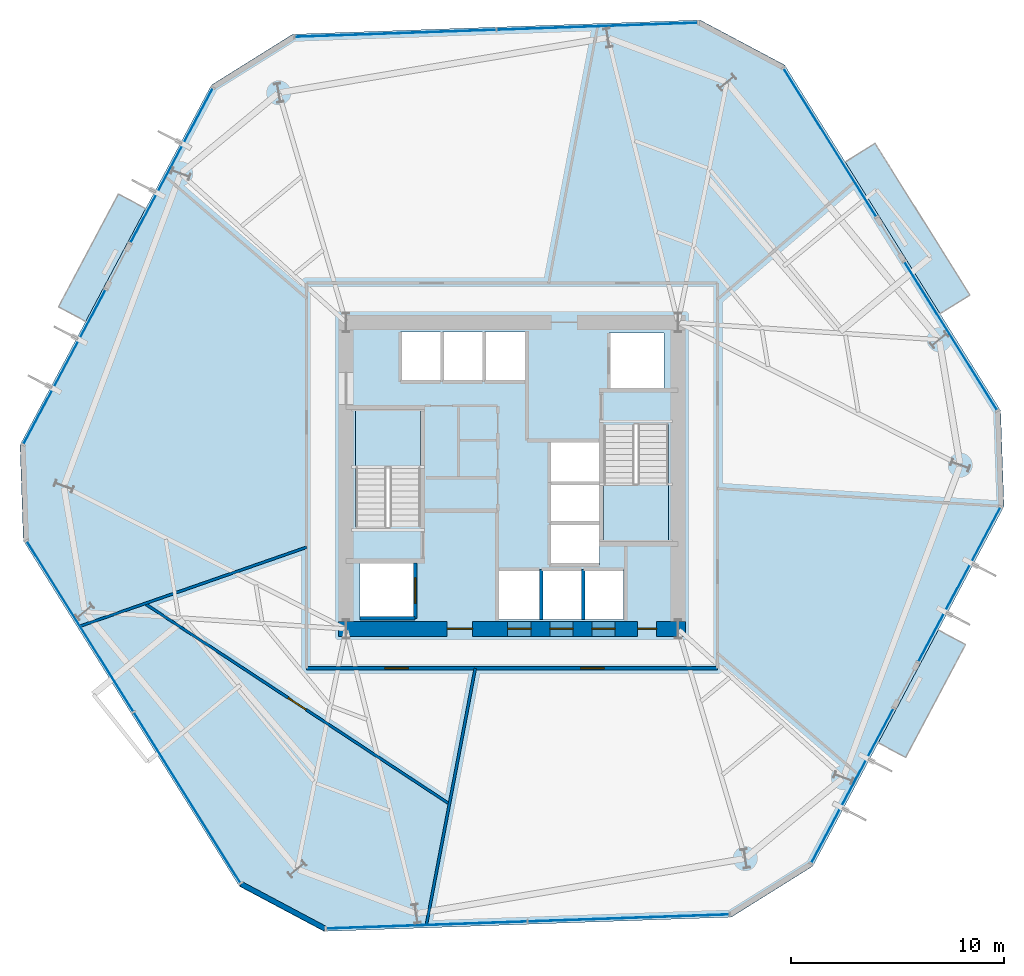
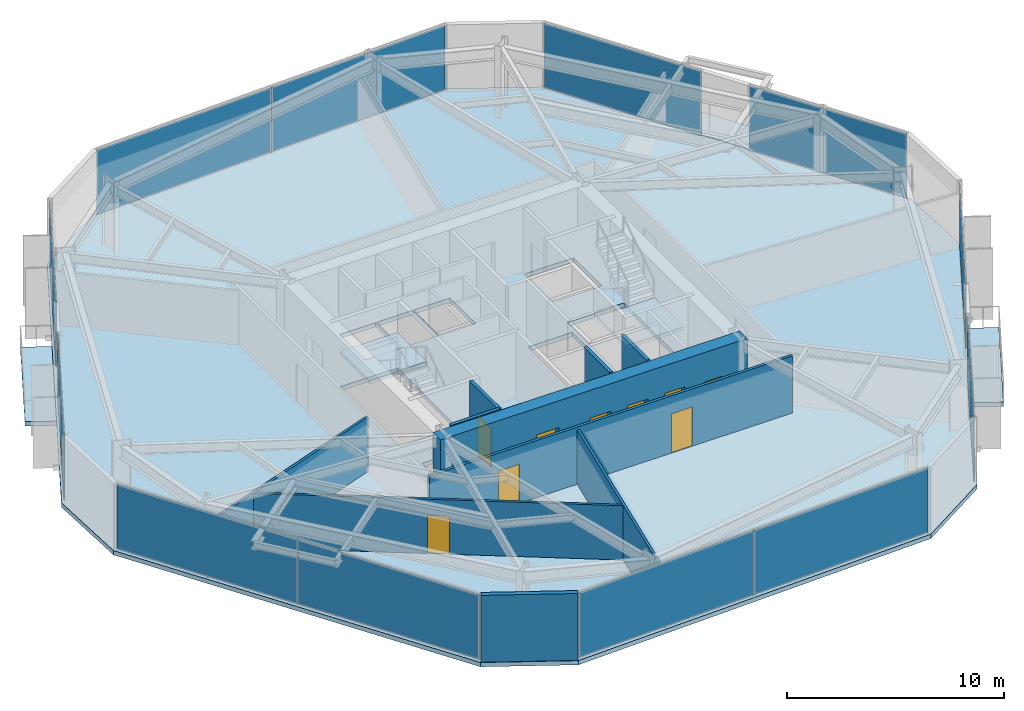
# One storey, part 5 of 10: 12 plates, 10 walls, 9 doors, 6 slabs, 9 openings, 11 elements without a shape of their own.
"""IFC4 building model written with IfcOpenShell, lengths in metres."""

from ifc_helpers import new_model, si_unit, direction, frame, frame_2d, origin, origin_2d, place, context, subcontext, project, spatial, polyline, rectangle, outline, extrude, material, layer, layer_set, type_object, element, fill, aggregate, save


model = new_model("IFC4")

# Units and contexts
model_context = context("Model", 3, precision=1e-05, world=origin(), true_north=direction((0.0, 1.0)))
body_context = subcontext(model_context, "Body", "Model", "MODEL_VIEW")
ifc_project = project(units=[si_unit("LENGTHUNIT", "METRE"), si_unit("AREAUNIT", "SQUARE_METRE"), si_unit("VOLUMEUNIT", "CUBIC_METRE"), si_unit("PLANEANGLEUNIT", "RADIAN"), si_unit("MASSUNIT", "GRAM", prefix="KILO")], contexts=[model_context])

# Site, building, storey
site_placement = place(None, origin())
site = spatial("IfcSite", under=ifc_project, at=site_placement, CompositionType="ELEMENT")
building_placement = place(site_placement, origin())
building = spatial("IfcBuilding", under=site, at=building_placement, Name="Kranzbogen Civic Tower", CompositionType="ELEMENT")
storey_placement = place(building_placement, frame((0.0, 0.0, 28.0)))
storey = spatial("IfcBuildingStorey", under=building, at=storey_placement, Name="L06", CompositionType="ELEMENT", Elevation=28.0)

# Slab
ifc_material_1 = material(Name="Concrete C40/50", Category="concrete")
ifc_layer_1 = layer(ifc_material_1, 0.239990234375, Name="Concrete C40/50")
ifc_layer_set_1 = layer_set([ifc_layer_1], Name="Concrete C40/50")
slab_type_1 = type_object("IfcSlabType", Name="Composite Lower Tower Floor Slab 240 mm", PredefinedType="FLOOR", material=ifc_layer_set_1)
slab_1_placement = place(storey_placement, frame((0.0, 0.0, -0.239990234375)))
element("IfcSlab", 1, at=slab_1_placement, inside=storey, type_object=slab_type_1, Name="L06 tower floor slab", PredefinedType="FLOOR", context=body_context, shape_type="SweptSolid", body=[
    extrude(outline(polyline([(47.9580078125, 28.052978515625), (37.80810546875, 44.2958984375), (33.8349609375, 46.408935546875), (14.693115234375, 45.739990234375), (10.876953125, 43.35595703125), (1.885009765625, 26.444091796875), (2.0419921875, 21.947021484375), (12.19189453125, 5.7041015625), (16.1650390625, 3.591064453125), (35.306884765625, 4.260009765625), (39.123046875, 6.64404296875), (48.114990234375, 23.555908203125), (47.9580078125, 28.052978515625)]), holes=[polyline([(26.300048828125, 20.60009765625), (26.300048828125, 18.25), (24.39990234375, 18.25), (24.39990234375, 20.60009765625), (26.300048828125, 20.60009765625)]), polyline([(28.27490234375, 18.25), (26.375, 18.25), (26.375, 20.60009765625), (28.27490234375, 20.60009765625), (28.27490234375, 18.25)]), polyline([(20.449951171875, 18.300048828125), (17.85009765625, 18.300048828125), (17.85009765625, 20.89990234375), (20.449951171875, 20.89990234375), (20.449951171875, 18.300048828125)]), polyline([(20.699951171875, 22.659912109375), (19.25, 22.659912109375), (19.25, 22.60009765625), (17.64990234375, 22.60009765625), (17.64990234375, 28.10009765625), (20.699951171875, 28.10009765625), (20.699951171875, 22.659912109375)]), polyline([(21.64990234375, 29.39990234375), (19.75, 29.39990234375), (19.75, 31.75), (21.64990234375, 31.75), (21.64990234375, 29.39990234375)]), polyline([(23.625, 29.39990234375), (21.72509765625, 29.39990234375), (21.72509765625, 31.75), (23.625, 31.75), (23.625, 29.39990234375)]), polyline([(25.60009765625, 31.75), (25.60009765625, 29.39990234375), (23.699951171875, 29.39990234375), (23.699951171875, 31.75), (25.60009765625, 31.75)]), polyline([(30.25, 18.25), (28.35009765625, 18.25), (28.35009765625, 20.60009765625), (30.25, 20.60009765625), (30.25, 18.25)]), polyline([(29.10009765625, 20.800048828125), (26.75, 20.800048828125), (26.75, 22.699951171875), (29.10009765625, 22.699951171875), (29.10009765625, 20.800048828125)]), polyline([(26.75, 26.550048828125), (29.10009765625, 26.550048828125), (29.10009765625, 24.675048828125), (29.10009765625, 24.64990234375), (29.10009765625, 22.77490234375), (26.75, 22.77490234375), (26.75, 24.64990234375), (26.75, 24.675048828125), (26.75, 26.550048828125)]), polyline([(30.75, 27.340087890625), (30.75, 27.39990234375), (32.35009765625, 27.39990234375), (32.35009765625, 21.89990234375), (29.300048828125, 21.89990234375), (29.300048828125, 27.340087890625), (30.75, 27.340087890625)]), polyline([(32.14990234375, 29.10009765625), (29.550048828125, 29.10009765625), (29.550048828125, 31.699951171875), (32.14990234375, 31.699951171875), (32.14990234375, 29.10009765625)])]), origin(), (0.0, 0.0, 1.0), 0.239990234375),
])

# Curtain wall, plate
ifc_material_2 = material(Name="Pale Anodised Aluminium", Category="aluminium")
ifc_layer_2 = layer(ifc_material_2, 0.219970703125, Name="Pale Anodised Aluminium")
ifc_layer_set_2 = layer_set([ifc_layer_2], Name="Pale Anodised Aluminium")
curtain_wall_type = type_object("IfcCurtainWallType", Name="Zone 1 Stick Curtain Wall System CW-02", PredefinedType="USERDEFINED", material=ifc_layer_set_2)
curtain_wall_1_placement = place(storey_placement, origin())
curtain_wall_1 = element("IfcCurtainWall", 2, at=curtain_wall_1_placement, inside=storey, type_object=curtain_wall_type, Name="L06 curtain wall CW-L06-F1-S1", ObjectType="STICK CURTAIN WALL", PredefinedType="USERDEFINED")
ifc_material_3 = material(Name="Low-E Triple Glazing Glass", Category="glass")
ifc_layer_3 = layer(ifc_material_3, 0.033935546875, Name="Low-E Triple Glazing Glass")
ifc_layer_set_3 = layer_set([ifc_layer_3], Name="Low-E Triple Glazing Glass")
plate_type = type_object("IfcPlateType", Name="Insulated Low-E Glazing Panel 34 mm", PredefinedType="CURTAIN_PANEL", material=ifc_layer_set_3)
plate_1_placement = place(storey_placement, frame((45.614990234375, 31.56201171875, 0.06005859375), z_axis=(0.0, 0.0, 1.0), x_axis=(-0.529934100167, 0.848038825456, 0.0)))
plate_1 = element("IfcPlate", 3, at=plate_1_placement, type_object=plate_type, Name="CW-02 panel 1.1", PredefinedType="CURTAIN_PANEL", context=body_context, shape_type="SweptSolid", body=[
    extrude(rectangle(XDim=8.197998046875, YDim=0.028076171875, at=origin_2d()), origin(), (0.0, 0.0, 1.0), 3.639892578125),
])
aggregate(curtain_wall_1, [plate_1])

curtain_wall_2_placement = place(storey_placement, origin())
curtain_wall_2 = element("IfcCurtainWall", 4, at=curtain_wall_2_placement, inside=storey, type_object=curtain_wall_type, Name="L06 curtain wall CW-L06-F1-S2", ObjectType="STICK CURTAIN WALL", PredefinedType="USERDEFINED")
plate_2_placement = place(storey_placement, frame((39.93505859375, 40.651611328125, 0.06005859375), z_axis=(0.0, 0.0, 1.0), x_axis=(-0.529880076726, 0.84807258197, 0.0)))
plate_2 = element("IfcPlate", 5, at=plate_2_placement, type_object=plate_type, Name="CW-02 panel 1.1", PredefinedType="CURTAIN_PANEL", context=body_context, shape_type="SweptSolid", body=[
    extrude(rectangle(XDim=8.198974609375, YDim=0.028076171875, at=origin_2d()), origin(), (0.0, 0.0, 1.0), 3.639892578125),
])
aggregate(curtain_wall_2, [plate_2])

# Curtain wall, plates
curtain_wall_3_placement = place(storey_placement, origin())
curtain_wall_3 = element("IfcCurtainWall", 6, at=curtain_wall_3_placement, inside=storey, type_object=curtain_wall_type, Name="L06 curtain wall CW-L06-F2", ObjectType="STICK CURTAIN WALL", PredefinedType="USERDEFINED")
plate_3_placement = place(storey_placement, frame((29.01025390625, 46.11328125, 0.06005859375), z_axis=(0.0, 0.0, 1.0), x_axis=(-0.999389796064, -0.034929006913, 0.0)))
plate_3 = element("IfcPlate", 7, at=plate_3_placement, type_object=plate_type, Name="CW-02 panel 1.1", PredefinedType="CURTAIN_PANEL", context=body_context, shape_type="SweptSolid", body=[
    extrude(rectangle(XDim=9.42919921875, YDim=0.028076171875, at=origin_2d()), origin(), (0.0, 0.0, 1.0), 3.639892578125),
])
plate_4_placement = place(storey_placement, frame((19.52685546875, 45.78173828125, 0.06005859375), z_axis=(0.0, 0.0, 1.0), x_axis=(-0.999389796064, -0.034929006913, 0.0)))
plate_4 = element("IfcPlate", 8, at=plate_4_placement, type_object=plate_type, Name="CW-02 panel 2.1", PredefinedType="CURTAIN_PANEL", context=body_context, shape_type="SweptSolid", body=[
    extrude(rectangle(XDim=9.42919921875, YDim=0.028076171875, at=origin_2d()), origin(), (0.0, 0.0, 1.0), 3.639892578125),
])
aggregate(curtain_wall_3, [plate_3, plate_4])

# Curtain wall, plate
curtain_wall_4_placement = place(storey_placement, origin())
curtain_wall_4 = element("IfcCurtainWall", 9, at=curtain_wall_4_placement, inside=storey, type_object=curtain_wall_type, Name="L06 curtain wall CW-L06-F3-S1", ObjectType="STICK CURTAIN WALL", PredefinedType="USERDEFINED")
plate_5_placement = place(storey_placement, frame((9.009521484375, 39.572021484375, 0.06005859375), z_axis=(0.0, 0.0, 1.0), x_axis=(-0.469383710583, -0.882994299098, 0.0)))
plate_5 = element("IfcPlate", 10, at=plate_5_placement, type_object=plate_type, Name="CW-02 panel 1.1", PredefinedType="CURTAIN_PANEL", context=body_context, shape_type="SweptSolid", body=[
    extrude(rectangle(XDim=8.199462890625, YDim=0.028076171875, at=origin_2d()), origin(), (0.0, 0.0, 1.0), 3.639892578125),
])
aggregate(curtain_wall_4, [plate_5])

curtain_wall_5_placement = place(storey_placement, origin())
curtain_wall_5 = element("IfcCurtainWall", 11, at=curtain_wall_5_placement, inside=storey, type_object=curtain_wall_type, Name="L06 curtain wall CW-L06-F3-S2", ObjectType="STICK CURTAIN WALL", PredefinedType="USERDEFINED")
plate_6_placement = place(storey_placement, frame((3.9775390625, 30.107421875, 0.06005859375), z_axis=(0.0, 0.0, 1.0), x_axis=(-0.469433533878, -0.882967812137, 0.0)))
plate_6 = element("IfcPlate", 12, at=plate_6_placement, type_object=plate_type, Name="CW-02 panel 1.1", PredefinedType="CURTAIN_PANEL", context=body_context, shape_type="SweptSolid", body=[
    extrude(rectangle(XDim=8.198486328125, YDim=0.028076171875, at=origin_2d()), origin(), (0.0, 0.0, 1.0), 3.639892578125),
])
aggregate(curtain_wall_5, [plate_6])

# Curtain wall, plates
curtain_wall_6_placement = place(storey_placement, origin())
curtain_wall_6 = element("IfcCurtainWall", 13, at=curtain_wall_6_placement, inside=storey, type_object=curtain_wall_type, Name="L06 curtain wall CW-L06-F4", ObjectType="STICK CURTAIN WALL", PredefinedType="USERDEFINED")
plate_7_placement = place(storey_placement, frame((4.7109375, 17.916259765625, 0.06005859375), z_axis=(0.0, 0.0, 1.0), x_axis=(0.529923389034, -0.848045518681, 0.0)))
plate_7 = element("IfcPlate", 14, at=plate_7_placement, type_object=plate_type, Name="CW-02 panel 1.1", PredefinedType="CURTAIN_PANEL", context=body_context, shape_type="SweptSolid", body=[
    extrude(rectangle(XDim=9.428466796875, YDim=0.028076171875, at=origin_2d()), origin(), (0.0, 0.0, 1.0), 3.639892578125),
])
plate_8_placement = place(storey_placement, frame((9.739013671875, 9.86962890625, 0.06005859375), z_axis=(0.0, 0.0, 1.0), x_axis=(0.529923389034, -0.848045518681, 0.0)))
plate_8 = element("IfcPlate", 15, at=plate_8_placement, type_object=plate_type, Name="CW-02 panel 2.1", PredefinedType="CURTAIN_PANEL", context=body_context, shape_type="SweptSolid", body=[
    extrude(rectangle(XDim=9.428466796875, YDim=0.028076171875, at=origin_2d()), origin(), (0.0, 0.0, 1.0), 3.639892578125),
])
aggregate(curtain_wall_6, [plate_7, plate_8])

curtain_wall_7_placement = place(storey_placement, origin())
curtain_wall_7 = element("IfcCurtainWall", 16, at=curtain_wall_7_placement, inside=storey, type_object=curtain_wall_type, Name="L06 curtain wall CW-L06-F5", ObjectType="STICK CURTAIN WALL", PredefinedType="USERDEFINED")
plate_9_placement = place(storey_placement, frame((20.98974609375, 3.88671875, 0.06005859375), z_axis=(0.0, 0.0, 1.0), x_axis=(0.999389796064, 0.034929006913, 0.0)))
plate_9 = element("IfcPlate", 17, at=plate_9_placement, type_object=plate_type, Name="CW-02 panel 1.1", PredefinedType="CURTAIN_PANEL", context=body_context, shape_type="SweptSolid", body=[
    extrude(rectangle(XDim=9.42919921875, YDim=0.028076171875, at=origin_2d()), origin(), (0.0, 0.0, 1.0), 3.639892578125),
])
plate_10_placement = place(storey_placement, frame((30.47314453125, 4.21826171875, 0.06005859375), z_axis=(0.0, 0.0, 1.0), x_axis=(0.999389796064, 0.034929006913, 0.0)))
plate_10 = element("IfcPlate", 18, at=plate_10_placement, type_object=plate_type, Name="CW-02 panel 2.1", PredefinedType="CURTAIN_PANEL", context=body_context, shape_type="SweptSolid", body=[
    extrude(rectangle(XDim=9.42919921875, YDim=0.028076171875, at=origin_2d()), origin(), (0.0, 0.0, 1.0), 3.639892578125),
])
aggregate(curtain_wall_7, [plate_9, plate_10])

# Curtain wall, plate
curtain_wall_8_placement = place(storey_placement, origin())
curtain_wall_8 = element("IfcCurtainWall", 19, at=curtain_wall_8_placement, inside=storey, type_object=curtain_wall_type, Name="L06 curtain wall CW-L06-F6-S1", ObjectType="STICK CURTAIN WALL", PredefinedType="USERDEFINED")
plate_11_placement = place(storey_placement, frame((40.990478515625, 10.427978515625, 0.06005859375), z_axis=(0.0, 0.0, 1.0), x_axis=(0.469383710583, 0.882994299098, 0.0)))
plate_11 = element("IfcPlate", 20, at=plate_11_placement, type_object=plate_type, Name="CW-02 panel 1.1", PredefinedType="CURTAIN_PANEL", context=body_context, shape_type="SweptSolid", body=[
    extrude(rectangle(XDim=8.199462890625, YDim=0.028076171875, at=origin_2d()), origin(), (0.0, 0.0, 1.0), 3.639892578125),
])
aggregate(curtain_wall_8, [plate_11])

curtain_wall_9_placement = place(storey_placement, origin())
curtain_wall_9 = element("IfcCurtainWall", 21, at=curtain_wall_9_placement, inside=storey, type_object=curtain_wall_type, Name="L06 curtain wall CW-L06-F6-S2", ObjectType="STICK CURTAIN WALL", PredefinedType="USERDEFINED")
plate_12_placement = place(storey_placement, frame((46.0224609375, 19.892578125, 0.06005859375), z_axis=(0.0, 0.0, 1.0), x_axis=(0.469433533878, 0.882967812137, 0.0)))
plate_12 = element("IfcPlate", 22, at=plate_12_placement, type_object=plate_type, Name="CW-02 panel 1.1", PredefinedType="CURTAIN_PANEL", context=body_context, shape_type="SweptSolid", body=[
    extrude(rectangle(XDim=8.198486328125, YDim=0.028076171875, at=origin_2d()), origin(), (0.0, 0.0, 1.0), 3.639892578125),
])
aggregate(curtain_wall_9, [plate_12])

# Stair, slab
ifc_material_4 = material(Name="Precast concrete C40/50", Category="concrete")
stair_type_1 = type_object("IfcStairType", Name="Tower Core Pressurized Dogleg Stair 1450", PredefinedType="HALF_TURN_STAIR", material=ifc_material_4)
stair_1_placement = place(storey_placement, origin())
stair_1 = element("IfcStair", 23, at=stair_1_placement, inside=storey, type_object=stair_type_1, Name="L06 Tower Core Pressurized Stair 1", PredefinedType="HALF_TURN_STAIR")
ifc_layer_4 = layer(ifc_material_4, 0.199951171875, Name="Precast concrete C40/50")
ifc_layer_set_4 = layer_set([ifc_layer_4], Name="Precast concrete C40/50")
slab_type_2 = type_object("IfcSlabType", Name="Precast Concrete Stair Landing Slab 200 mm", PredefinedType="LANDING", material=ifc_layer_set_4)
slab_2_placement = place(storey_placement, frame((0.0, 0.0, 1.800048828125)))
slab_2 = element("IfcSlab", 24, at=slab_2_placement, type_object=slab_type_2, Name="ST-T1 landing 1", PredefinedType="LANDING", context=body_context, shape_type="SweptSolid", body=[
    extrude(outline(polyline([(20.699951171875, 25.39990234375), (20.699951171875, 28.10009765625), (17.64990234375, 28.10009765625), (17.64990234375, 25.39990234375), (20.699951171875, 25.39990234375)])), origin(), (0.0, 0.0, 1.0), 0.199951171875),
])
aggregate(stair_1, [slab_2])

stair_type_2 = type_object("IfcStairType", Name="Tower Core Secondary Dogleg Stair 1450", PredefinedType="HALF_TURN_STAIR", material=ifc_material_4)
stair_2_placement = place(storey_placement, origin())
stair_2 = element("IfcStair", 25, at=stair_2_placement, inside=storey, type_object=stair_type_2, Name="L06 Tower Core Pressurized Stair 2", PredefinedType="HALF_TURN_STAIR")
slab_3_placement = place(storey_placement, frame((0.0, 0.0, 1.800048828125)))
slab_3 = element("IfcSlab", 26, at=slab_3_placement, type_object=slab_type_2, Name="ST-T2 landing 1", PredefinedType="LANDING", context=body_context, shape_type="SweptSolid", body=[
    extrude(outline(polyline([(29.300048828125, 24.60009765625), (29.300048828125, 21.89990234375), (32.35009765625, 21.89990234375), (32.35009765625, 24.60009765625), (29.300048828125, 24.60009765625)])), origin(), (0.0, 0.0, 1.0), 0.199951171875),
])
aggregate(stair_2, [slab_3])

# Slabs
ifc_layer_5 = layer(ifc_material_1, 0.280029296875, Name="Concrete C40/50")
ifc_layer_set_5 = layer_set([ifc_layer_5], Name="Concrete C40/50")
slab_type_3 = type_object("IfcSlabType", Name="Spiral Terrace Cantilevered Slab 280 mm", PredefinedType="FLOOR", material=ifc_layer_set_5)
slab_4_placement = place(storey_placement, frame((0.0, 0.0, -0.280029296875)))
element("IfcSlab", 27, at=slab_4_placement, inside=storey, type_object=slab_type_3, Name="L06 cantilevered spiral terrace L06-ST", PredefinedType="FLOOR", context=body_context, shape_type="SweptSolid", body=[
    extrude(outline(polyline([(45.10888671875, 32.613037109375), (40.657958984375, 39.736083984375), (42.056884765625, 40.610107421875), (46.508056640625, 33.487060546875), (45.10888671875, 32.613037109375)])), origin(), (0.0, 0.0, 1.0), 0.280029296875),
])
ifc_layer_6 = layer(ifc_material_1, 0.25, Name="Concrete C40/50")
ifc_layer_set_6 = layer_set([ifc_layer_6], Name="Concrete C40/50")
slab_type_4 = type_object("IfcSlabType", Name="Tree Balcony Cantilevered Slab 250 mm", PredefinedType="FLOOR", material=ifc_layer_set_6)
slab_5_placement = place(storey_placement, frame((0.0, 0.0, -0.25)))
element("IfcSlab", 28, at=slab_5_placement, inside=storey, type_object=slab_type_4, Name="L06 cantilevered tree balcony L06-TB1", PredefinedType="FLOOR", context=body_context, shape_type="SweptSolid", body=[
    extrude(outline(polyline([(7.7890625, 37.549072265625), (4.971923828125, 32.2509765625), (3.69189453125, 32.931884765625), (6.509033203125, 38.22998046875), (7.7890625, 37.549072265625)])), origin(), (0.0, 0.0, 1.0), 0.25),
])
slab_6_placement = place(storey_placement, frame((0.0, 0.0, -0.25)))
element("IfcSlab", 29, at=slab_6_placement, inside=storey, type_object=slab_type_4, Name="L06 cantilevered tree balcony L06-TB2", PredefinedType="FLOOR", context=body_context, shape_type="SweptSolid", body=[
    extrude(outline(polyline([(42.2109375, 12.450927734375), (45.028076171875, 17.7490234375), (46.30810546875, 17.068115234375), (43.490966796875, 11.77001953125), (42.2109375, 12.450927734375)])), origin(), (0.0, 0.0, 1.0), 0.25),
])

# Wall, openings, doors
ifc_material_5 = material(Name="Double-Stud Acoustic Gypsum Partition")
ifc_layer_7 = layer(ifc_material_5, 0.14990234375, Name="Double-Stud Acoustic Gypsum Partition")
ifc_layer_set_7 = layer_set([ifc_layer_7], Name="Double-Stud Acoustic Gypsum Partition")
wall_type_1 = type_object("IfcWallType", Name="Acoustic Corridor and Clinical Partition 150 mm", PredefinedType="PARTITIONING", material=ifc_layer_set_7)
wall_1_placement = place(storey_placement, frame((34.64990234375, 15.949951171875, 0.0), z_axis=(0.0, 0.0, 1.0), x_axis=(-1.0, 0.0, 0.0)))
wall_1 = element("IfcWall", 30, at=wall_1_placement, inside=storey, type_object=wall_type_1, Name="L06 corridor partition 03", PredefinedType="PARTITIONING", context=body_context, shape_type="SweptSolid", body=[
    extrude(rectangle(XDim=19.2998046875, YDim=0.14990234375, at=frame_2d((9.64990234375, 0.0))), origin(), (0.0, 0.0, 1.0), 3.2099609375),
])
opening_1_placement = place(wall_1_placement, frame((14.52294921875, 0.0, 0.0)))
opening_1 = element("IfcOpeningElement", 31, at=opening_1_placement, cuts=wall_1, Name="Opening D-COR60", PredefinedType="OPENING", context=body_context, shape_type="SweptSolid", body=[
    extrude(rectangle(XDim=1.10009765625, YDim=2.199951171875, at=frame_2d((0.550048828125, 1.10009765625))), frame((0.0, 0.0849609375, 0.0), z_axis=(0.0, -1.0, 0.0), x_axis=(1.0, 0.0, 0.0)), (0.0, 0.0, 1.0), 0.169921875),
])
opening_2_placement = place(wall_1_placement, frame((5.326904296875, 0.0, 0.0)))
opening_2 = element("IfcOpeningElement", 32, at=opening_2_placement, cuts=wall_1, Name="Opening D-COR60", PredefinedType="OPENING", context=body_context, shape_type="SweptSolid", body=[
    extrude(rectangle(XDim=1.10009765625, YDim=2.199951171875, at=frame_2d((0.550048828125, 1.10009765625))), frame((0.0, 0.0849609375, 0.0), z_axis=(0.0, -1.0, 0.0), x_axis=(1.0, 0.0, 0.0)), (0.0, 0.0, 1.0), 0.169921875),
])
ifc_material_6 = material(Name="Oak Timber and Fire Core", Category="wood")
door_type_1 = type_object("IfcDoorType", Name="Corridor Acoustic Fire Door 1100x2200", OperationType="NOTDEFINED", PredefinedType="DOOR", material=ifc_material_6)
door_1_placement = place(opening_1_placement, origin())
door_1 = element("IfcDoor", 33, at=door_1_placement, inside=storey, type_object=door_type_1, Name="L06 Ministerial Policy Office door", OperationType="SINGLE_SWING_LEFT", OverallHeight=2.199951171875, OverallWidth=1.10009765625, PredefinedType="DOOR", context=body_context, shape_type="SweptSolid", body=[
    extrude(rectangle(XDim=1.10009765625, YDim=2.199951171875, at=frame_2d((0.550048828125, 1.10009765625))), frame((0.0, 0.02490234375, 0.0), z_axis=(0.0, -1.0, 0.0), x_axis=(1.0, 0.0, 0.0)), (0.0, 0.0, 1.0), 0.050048828125),
])
fill(opening_1, door_1)
door_2_placement = place(opening_2_placement, origin())
door_2 = element("IfcDoor", 34, at=door_2_placement, inside=storey, type_object=door_type_1, Name="L06 Legal Counsel Office door", OperationType="SINGLE_SWING_LEFT", OverallHeight=2.199951171875, OverallWidth=1.10009765625, PredefinedType="DOOR", context=body_context, shape_type="SweptSolid", body=[
    extrude(rectangle(XDim=1.10009765625, YDim=2.199951171875, at=frame_2d((0.550048828125, 1.10009765625))), frame((0.0, 0.02490234375, 0.0), z_axis=(0.0, -1.0, 0.0), x_axis=(1.0, 0.0, 0.0)), (0.0, 0.0, 1.0), 0.050048828125),
])
fill(opening_2, door_2)

# Walls
ifc_material_7 = material(Name="Insulated Metal-Stud Gypsum Partition")
ifc_layer_8 = layer(ifc_material_7, 0.125, Name="Insulated Metal-Stud Gypsum Partition")
ifc_layer_set_8 = layer_set([ifc_layer_8], Name="Insulated Metal-Stud Gypsum Partition")
wall_type_2 = type_object("IfcWallType", Name="Acoustic Inter-Room Partition 125 mm", PredefinedType="PARTITIONING", material=ifc_layer_set_8)
wall_2_placement = place(storey_placement, frame((15.35009765625, 21.637939453125, 0.0), z_axis=(0.0, 0.0, 1.0), x_axis=(-0.944346596396, -0.328952133105, 0.0)))
element("IfcWall", 35, at=wall_2_placement, inside=storey, type_object=wall_type_2, Name="L06 radial room partition 04", PredefinedType="PARTITIONING", context=body_context, shape_type="SweptSolid", body=[
    extrude(rectangle(XDim=11.256591796875, YDim=0.125, at=frame_2d((5.62841796875, 0.0))), origin(), (0.0, 0.0, 1.0), 3.06005859375),
])
wall_3_placement = place(storey_placement, frame((23.27490234375, 15.949951171875, 0.0), z_axis=(0.0, 0.0, 1.0), x_axis=(-0.187302392837, -0.982302302572, 0.0)))
element("IfcWall", 36, at=wall_3_placement, inside=storey, type_object=wall_type_2, Name="L06 radial room partition 05", PredefinedType="PARTITIONING", context=body_context, shape_type="SweptSolid", body=[
    extrude(rectangle(XDim=12.262939453125, YDim=0.125, at=frame_2d((6.13134765625, 0.0))), origin(), (0.0, 0.0, 1.0), 3.06005859375),
])

# Wall, opening, door
wall_4_placement = place(storey_placement, frame((7.76611328125, 18.97998046875, 0.0), z_axis=(0.0, 0.0, 1.0), x_axis=(0.83545815699, -0.549554062781, 0.0)))
wall_4 = element("IfcWall", 37, at=wall_4_placement, inside=storey, type_object=wall_type_2, Name="L06 suite chord partition 01", PredefinedType="PARTITIONING", context=body_context, shape_type="SweptSolid", body=[
    extrude(rectangle(XDim=17.092041015625, YDim=0.125, at=frame_2d((8.5458984375, 0.0))), origin(), (0.0, 0.0, 1.0), 3.050048828125),
])
opening_3_placement = place(wall_4_placement, frame((8.0458984375, 0.0, 0.0)))
opening_3 = element("IfcOpeningElement", 38, at=opening_3_placement, cuts=wall_4, Name="Opening D-OFC10", PredefinedType="OPENING", context=body_context, shape_type="SweptSolid", body=[
    extrude(rectangle(XDim=1.0, YDim=2.14990234375, at=frame_2d((0.5, 1.074951171875))), frame((0.0, 0.072509765625, 0.0), z_axis=(0.0, -1.0, 0.0), x_axis=(1.0, 0.0, 0.0)), (0.0, 0.0, 1.0), 0.14501953125),
])
ifc_material_8 = material(Name="Oak Timber Veneer", Category="wood")
door_type_2 = type_object("IfcDoorType", Name="Standard Office Acoustic Door 1000x2150", OperationType="NOTDEFINED", PredefinedType="DOOR", material=ifc_material_8)
door_3_placement = place(opening_3_placement, origin())
door_3 = element("IfcDoor", 39, at=door_3_placement, inside=storey, type_object=door_type_2, Name="L06 Directorate Admin Workspace door", OperationType="SINGLE_SWING_RIGHT", OverallHeight=2.14990234375, OverallWidth=1.0, PredefinedType="DOOR", context=body_context, shape_type="SweptSolid", body=[
    extrude(rectangle(XDim=1.0, YDim=2.14990234375, at=frame_2d((0.5, 1.074951171875))), frame((0.0, 0.02490234375, 0.0), z_axis=(0.0, -1.0, 0.0), x_axis=(1.0, 0.0, 0.0)), (0.0, 0.0, 1.0), 0.050048828125),
])
fill(opening_3, door_3)

# Wall, openings, doors
ifc_material_9 = material(Name="Concrete C55/67", Category="concrete")
ifc_layer_9 = layer(ifc_material_9, 0.699951171875, Name="Concrete C55/67")
ifc_layer_set_9 = layer_set([ifc_layer_9], Name="Concrete C55/67")
wall_type_3 = type_object("IfcWallType", Name="Central Core Shear Wall 700 mm", PredefinedType="SHEAR", material=ifc_layer_set_9)
wall_5_placement = place(storey_placement, frame((16.85009765625, 17.800048828125, 0.0), z_axis=(0.0, 0.0, 1.0), x_axis=(1.0, 0.0, 0.0)))
wall_5 = element("IfcWall", 40, at=wall_5_placement, inside=storey, type_object=wall_type_3, Name="L06 central core South shear wall", PredefinedType="SHEAR", context=body_context, shape_type="SweptSolid", body=[
    extrude(rectangle(XDim=16.2998046875, YDim=0.699951171875, at=frame_2d((8.14990234375, 0.0))), origin(), (0.0, 0.0, 1.0), 3.760009765625),
])
opening_4_placement = place(wall_5_placement, frame((5.10009765625, 0.0, 0.0)))
opening_4 = element("IfcOpeningElement", 41, at=opening_4_placement, cuts=wall_5, Name="Opening D-EX120", PredefinedType="OPENING", context=body_context, shape_type="SweptSolid", body=[
    extrude(rectangle(XDim=1.199951171875, YDim=2.25, at=frame_2d((0.60009765625, 1.125))), frame((0.0, 0.35986328125, 0.0), z_axis=(0.0, -1.0, 0.0), x_axis=(1.0, 0.0, 0.0)), (0.0, 0.0, 1.0), 0.719970703125),
])
opening_5_placement = place(wall_5_placement, frame((14.050048828125, 0.0, 0.0)))
opening_5 = element("IfcOpeningElement", 42, at=opening_5_placement, cuts=wall_5, Name="Opening D-WC90", PredefinedType="OPENING", context=body_context, shape_type="SweptSolid", body=[
    extrude(rectangle(XDim=0.89990234375, YDim=2.10009765625, at=frame_2d((0.449951171875, 1.050048828125))), frame((0.0, 0.35986328125, 0.0), z_axis=(0.0, -1.0, 0.0), x_axis=(1.0, 0.0, 0.0)), (0.0, 0.0, 1.0), 0.719970703125),
])
opening_6_placement = place(wall_5_placement, frame((7.949951171875, 0.0, 0.0)))
opening_6 = element("IfcOpeningElement", 43, at=opening_6_placement, cuts=wall_5, Name="Opening LD-LP-01", PredefinedType="OPENING", context=body_context, shape_type="SweptSolid", body=[
    extrude(rectangle(XDim=1.10009765625, YDim=2.199951171875, at=frame_2d((0.550048828125, 1.10009765625))), frame((0.0, 0.35986328125, 0.0), z_axis=(0.0, -1.0, 0.0), x_axis=(1.0, 0.0, 0.0)), (0.0, 0.0, 1.0), 0.719970703125),
])
opening_7_placement = place(wall_5_placement, frame((9.925048828125, 0.0, 0.0)))
opening_7 = element("IfcOpeningElement", 44, at=opening_7_placement, cuts=wall_5, Name="Opening LD-LP-02", PredefinedType="OPENING", context=body_context, shape_type="SweptSolid", body=[
    extrude(rectangle(XDim=1.10009765625, YDim=2.199951171875, at=frame_2d((0.550048828125, 1.10009765625))), frame((0.0, 0.35986328125, 0.0), z_axis=(0.0, -1.0, 0.0), x_axis=(1.0, 0.0, 0.0)), (0.0, 0.0, 1.0), 0.719970703125),
])
opening_8_placement = place(wall_5_placement, frame((11.89990234375, 0.0, 0.0)))
opening_8 = element("IfcOpeningElement", 45, at=opening_8_placement, cuts=wall_5, Name="Opening LD-LP-03", PredefinedType="OPENING", context=body_context, shape_type="SweptSolid", body=[
    extrude(rectangle(XDim=1.10009765625, YDim=2.199951171875, at=frame_2d((0.550048828125, 1.10009765625))), frame((0.0, 0.35986328125, 0.0), z_axis=(0.0, -1.0, 0.0), x_axis=(1.0, 0.0, 0.0)), (0.0, 0.0, 1.0), 0.719970703125),
])
ifc_material_10 = material(Name="Steel S355", Category="steel")
door_type_3 = type_object("IfcDoorType", Name="Exit Passageway Fire Door 1200x2250", OperationType="NOTDEFINED", PredefinedType="DOOR", material=ifc_material_10)
door_4_placement = place(opening_4_placement, origin())
door_4 = element("IfcDoor", 46, at=door_4_placement, inside=storey, type_object=door_type_3, Name="L06 West firefighting lobby corridor door", OperationType="SINGLE_SWING_RIGHT", OverallHeight=2.25, OverallWidth=1.199951171875, PredefinedType="DOOR", context=body_context, shape_type="SweptSolid", body=[
    extrude(rectangle(XDim=1.199951171875, YDim=2.25, at=frame_2d((0.60009765625, 1.125))), frame((0.0, 0.02490234375, 0.0), z_axis=(0.0, -1.0, 0.0), x_axis=(1.0, 0.0, 0.0)), (0.0, 0.0, 1.0), 0.050048828125),
])
fill(opening_4, door_4)
door_type_4 = type_object("IfcDoorType", Name="Passenger Lift Sliding Landing Door 1100x2200", OperationType="DOUBLE_DOOR_SLIDING", PredefinedType="DOOR", material=ifc_material_2)
door_5_placement = place(opening_6_placement, origin())
door_5 = element("IfcDoor", 47, at=door_5_placement, inside=storey, type_object=door_type_4, Name="L06 lift LP-01 sliding landing door", OperationType="DOUBLE_DOOR_SLIDING", OverallHeight=2.199951171875, OverallWidth=1.10009765625, PredefinedType="DOOR", context=body_context, shape_type="SweptSolid", body=[
    extrude(rectangle(XDim=1.10009765625, YDim=2.199951171875, at=frame_2d((0.550048828125, 1.10009765625))), frame((0.0, 0.02490234375, 0.0), z_axis=(0.0, -1.0, 0.0), x_axis=(1.0, 0.0, 0.0)), (0.0, 0.0, 1.0), 0.050048828125),
])
fill(opening_6, door_5)
door_6_placement = place(opening_7_placement, origin())
door_6 = element("IfcDoor", 48, at=door_6_placement, inside=storey, type_object=door_type_4, Name="L06 lift LP-02 sliding landing door", OperationType="DOUBLE_DOOR_SLIDING", OverallHeight=2.199951171875, OverallWidth=1.10009765625, PredefinedType="DOOR", context=body_context, shape_type="SweptSolid", body=[
    extrude(rectangle(XDim=1.10009765625, YDim=2.199951171875, at=frame_2d((0.550048828125, 1.10009765625))), frame((0.0, 0.02490234375, 0.0), z_axis=(0.0, -1.0, 0.0), x_axis=(1.0, 0.0, 0.0)), (0.0, 0.0, 1.0), 0.050048828125),
])
fill(opening_7, door_6)
door_7_placement = place(opening_8_placement, origin())
door_7 = element("IfcDoor", 49, at=door_7_placement, inside=storey, type_object=door_type_4, Name="L06 lift LP-03 sliding landing door", OperationType="DOUBLE_DOOR_SLIDING", OverallHeight=2.199951171875, OverallWidth=1.10009765625, PredefinedType="DOOR", context=body_context, shape_type="SweptSolid", body=[
    extrude(rectangle(XDim=1.10009765625, YDim=2.199951171875, at=frame_2d((0.550048828125, 1.10009765625))), frame((0.0, 0.02490234375, 0.0), z_axis=(0.0, -1.0, 0.0), x_axis=(1.0, 0.0, 0.0)), (0.0, 0.0, 1.0), 0.050048828125),
])
fill(opening_8, door_7)
ifc_material_11 = material(Name="Moisture-Resistant Laminate")
door_type_5 = type_object("IfcDoorType", Name="Standard Restroom and Store Door 900x2100", OperationType="NOTDEFINED", PredefinedType="DOOR", material=ifc_material_11)
door_8_placement = place(opening_5_placement, origin())
door_8 = element("IfcDoor", 50, at=door_8_placement, inside=storey, type_object=door_type_5, Name="L06 East electrical riser access door", OperationType="SINGLE_SWING_RIGHT", OverallHeight=2.10009765625, OverallWidth=0.89990234375, PredefinedType="DOOR", context=body_context, shape_type="SweptSolid", body=[
    extrude(rectangle(XDim=0.89990234375, YDim=2.10009765625, at=frame_2d((0.449951171875, 1.050048828125))), frame((0.0, 0.02490234375, 0.0), z_axis=(0.0, -1.0, 0.0), x_axis=(1.0, 0.0, 0.0)), (0.0, 0.0, 1.0), 0.050048828125),
])
fill(opening_5, door_8)

# Walls
ifc_material_12 = material(Name="Gypsum Fireboard Shaftliner")
ifc_layer_10 = layer(ifc_material_12, 0.175048828125, Name="Gypsum Fireboard Shaftliner")
ifc_layer_set_10 = layer_set([ifc_layer_10], Name="Gypsum Fireboard Shaftliner")
wall_type_4 = type_object("IfcWallType", Name="Fire-Rated Lift and Service Shaft Wall 175 mm", PredefinedType="PARTITIONING", material=ifc_layer_set_10)
for number, where, z_axis, x_axis, name in (
    (51, (26.375, 18.25, 0.0), (0.0, 0.0, 1.0), (0.0, 1.0, 0.0), "L06 lift LP-02 side wall"),
    (52, (28.35009765625, 18.25, 0.0), (0.0, 0.0, 1.0), (0.0, 1.0, 0.0), "L06 lift LP-03 side wall"),
):
    element("IfcWall", number, at=place(storey_placement, frame(where, z_axis=z_axis, x_axis=x_axis)), inside=storey, type_object=wall_type_4, Name=name, PredefinedType="PARTITIONING", context=body_context, shape_type="SweptSolid", body=[
        extrude(rectangle(XDim=2.35009765625, YDim=0.175048828125, at=frame_2d((1.175048828125, 0.0))), origin(), (0.0, 0.0, 1.0), 3.760009765625),
    ])

# Wall, opening, door
wall_6_placement = place(storey_placement, frame((20.449951171875, 18.300048828125, 0.0), z_axis=(0.0, 0.0, 1.0), x_axis=(0.0, 1.0, 0.0)))
wall_6 = element("IfcWall", 53, at=wall_6_placement, inside=storey, type_object=wall_type_4, Name="L06 lift FF-01 landing wall", PredefinedType="PARTITIONING", context=body_context, shape_type="SweptSolid", body=[
    extrude(rectangle(XDim=2.599853515625, YDim=0.175048828125, at=frame_2d((1.2998046875, 0.0))), origin(), (0.0, 0.0, 1.0), 3.760009765625),
])
opening_9_placement = place(wall_6_placement, frame((0.699951171875, 0.0, 0.0)))
opening_9 = element("IfcOpeningElement", 54, at=opening_9_placement, cuts=wall_6, Name="Opening LD-FF-01", PredefinedType="OPENING", context=body_context, shape_type="SweptSolid", body=[
    extrude(rectangle(XDim=1.199951171875, YDim=2.199951171875, at=frame_2d((0.60009765625, 1.10009765625))), frame((0.0, 0.09765625, 0.0), z_axis=(0.0, -1.0, 0.0), x_axis=(1.0, 0.0, 0.0)), (0.0, 0.0, 1.0), 0.195068359375),
])
door_type_6 = type_object("IfcDoorType", Name="Firefighting and Stretcher Lift Sliding Landing Door 1200x2200", OperationType="DOUBLE_DOOR_SLIDING", PredefinedType="DOOR", material=ifc_material_2)
door_9_placement = place(opening_9_placement, origin())
door_9 = element("IfcDoor", 55, at=door_9_placement, inside=storey, type_object=door_type_6, Name="L06 lift FF-01 sliding landing door", OperationType="DOUBLE_DOOR_SLIDING", OverallHeight=2.199951171875, OverallWidth=1.199951171875, PredefinedType="DOOR", context=body_context, shape_type="SweptSolid", body=[
    extrude(rectangle(XDim=1.199951171875, YDim=2.199951171875, at=frame_2d((0.60009765625, 1.10009765625))), frame((0.0, 0.02490234375, 0.0), z_axis=(0.0, -1.0, 0.0), x_axis=(1.0, 0.0, 0.0)), (0.0, 0.0, 1.0), 0.050048828125),
])
fill(opening_9, door_9)

# Walls
wall_7_placement = place(storey_placement, frame((17.85009765625, 18.300048828125, 0.0), z_axis=(0.0, 0.0, 1.0), x_axis=(1.0, 0.0, 0.0)))
element("IfcWall", 56, at=wall_7_placement, inside=storey, type_object=wall_type_4, Name="L06 lift FF-01 side wall", PredefinedType="PARTITIONING", context=body_context, shape_type="SweptSolid", body=[
    extrude(rectangle(XDim=2.599853515625, YDim=0.175048828125, at=frame_2d((1.2998046875, 0.0))), origin(), (0.0, 0.0, 1.0), 3.760009765625),
])
ifc_layer_11 = layer(ifc_material_2, 0.239990234375, Name="Pale Anodised Aluminium")
ifc_layer_set_11 = layer_set([ifc_layer_11], Name="Pale Anodised Aluminium")
wall_type_5 = type_object("IfcWallType", Name="Insulated Aluminium Facade Portal Wall 240 mm", PredefinedType="STANDARD", material=ifc_layer_set_11)
wall_8_placement = place(storey_placement, frame((12.26904296875, 5.821044921875, 0.0), z_axis=(0.0, 0.0, 1.0), x_axis=(0.882820866688, -0.469709822486, 0.0)))
element("IfcWall", 57, at=wall_8_placement, inside=storey, type_object=wall_type_5, Name="L06 chamfered corner facade spandrel 4", PredefinedType="STANDARD", context=body_context, shape_type="SweptSolid", body=[
    extrude(rectangle(XDim=4.47314453125, YDim=0.239990234375, at=frame_2d((2.236572265625, 0.0))), origin(), (0.0, 0.0, 1.0), 3.760009765625),
])

save(model, "model.ifc")
